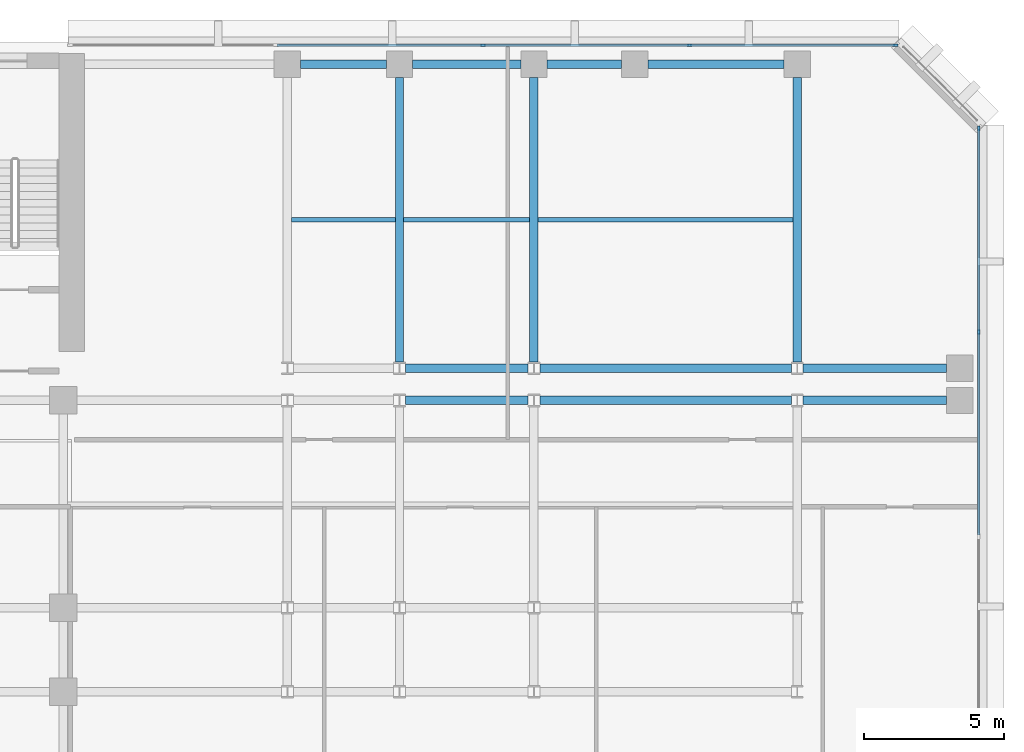
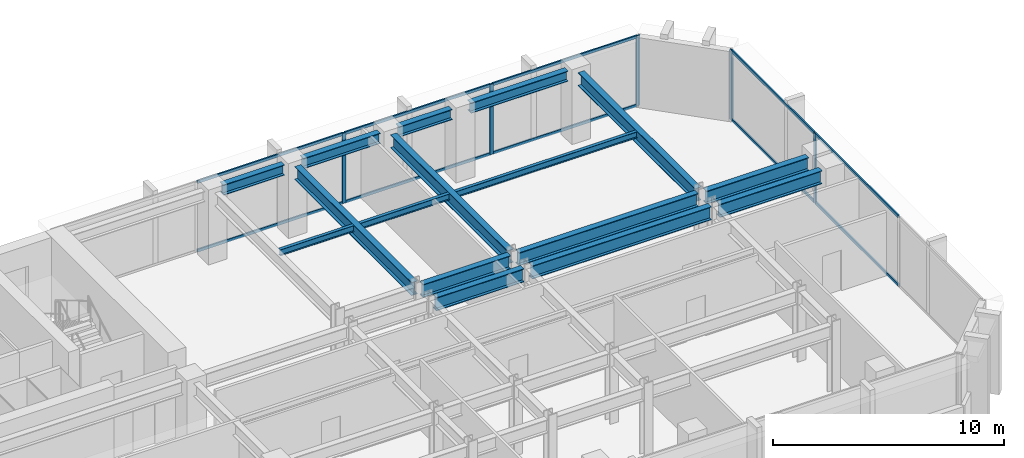
# One storey, part 5 of 13: 16 beams, 15 members, 2 elements without a shape of their own.
"""IFC4 building model written with IfcOpenShell, lengths in metres."""

import ifcopenshell
import ifcopenshell.guid

model = None  # the IFC model being written
_history = None  # IfcOwnerHistory: only IFC2X3 demands one
_inside = {}  # id of a spatial element -> (the spatial element, [elements in it])
_under = {}  # id of a project, library or spatial element -> (it, [spatial elements below it])
_declared = {}  # id of a project -> (the project, [libraries it declares])
_typed = {}  # id of a type object -> (the type object, [elements of that type])
_made_of = {}  # id of a material, layer set ... -> (it, [elements and type objects made of it])


def new_model(schema):
    """Start an empty IFC model of exactly this schema.

    Asked for "IFC4X3", IfcOpenShell would pick the latest addendum, in which some entities
    have other attributes; the version numbers below select the first issue.
    IFC2X3 requires an IfcOwnerHistory on every rooted entity: one is made here for all.
    """
    global model, _history
    if schema == "IFC4X3":
        model = ifcopenshell.file(schema_version=(4, 3, 0, 0))
    else:
        model = ifcopenshell.file(schema=schema)
    _inside.clear()
    _under.clear()
    _declared.clear()
    _typed.clear()
    _made_of.clear()
    _history = None
    if model.schema == "IFC2X3":
        org = make("IfcOrganization", Name="unknown")
        user = make(
            "IfcPersonAndOrganization",
            ThePerson=make("IfcPerson", FamilyName="unknown"),
            TheOrganization=org,
        )
        app = make(
            "IfcApplication",
            ApplicationDeveloper=org,
            Version="unknown",
            ApplicationFullName="unknown",
            ApplicationIdentifier="unknown",
        )
        _history = make(
            "IfcOwnerHistory",
            OwningUser=user,
            OwningApplication=app,
            ChangeAction="ADDED",
            CreationDate=0,
        )
    return model


def make(cls, **values):
    """One entity of the class cls with the attributes given. An attribute that is None is left unset."""
    return model.create_entity(
        cls, **{name: value for name, value in values.items() if value is not None}
    )


def rooted(cls, **values):
    """An entity with a GlobalId (a new one), such as an element, a storey or a relation."""
    return make(cls, GlobalId=ifcopenshell.guid.new(), OwnerHistory=_history, **values)


def si_unit(unit_type, name, prefix=None):
    """IfcSIUnit, for example si_unit("LENGTHUNIT", "METRE", prefix="MILLI")."""
    return make("IfcSIUnit", UnitType=unit_type, Prefix=prefix, Name=name)


def assignment(units):
    """IfcUnitAssignment: the units of a project."""
    return None if units is None else make("IfcUnitAssignment", Units=units)


def point(xyz):
    """IfcCartesianPoint."""
    return None if xyz is None else make("IfcCartesianPoint", Coordinates=xyz)


def direction(xyz):
    """IfcDirection."""
    return None if xyz is None else make("IfcDirection", DirectionRatios=xyz)


def frame(location, z_axis=None, x_axis=None):
    """IfcAxis2Placement3D, a coordinate frame: its origin and axes. An axis left out is left unset."""
    return make(
        "IfcAxis2Placement3D",
        Location=point(location),
        Axis=direction(z_axis),
        RefDirection=direction(x_axis),
    )


def frame_2d(location, x_axis=None):
    """IfcAxis2Placement2D, a coordinate frame in the plane: its origin and x axis."""
    return make(
        "IfcAxis2Placement2D", Location=point(location), RefDirection=direction(x_axis)
    )


def origin():
    """The frame at (0, 0, 0) with its axes left unset."""
    return frame((0.0, 0.0, 0.0))


def origin_2d():
    """The frame at (0, 0) in the plane with its x axis left unset."""
    return frame_2d((0.0, 0.0))


def place(relative_to, where):
    """IfcLocalPlacement: puts the frame where relative to a parent placement (None: the world)."""
    return make(
        "IfcLocalPlacement", PlacementRelTo=relative_to, RelativePlacement=where
    )


def context(
    kind, dimensions, precision=None, world=None, true_north=None, identifier=None
):
    """IfcGeometricRepresentationContext, for example the 3D "Model" context."""
    return make(
        "IfcGeometricRepresentationContext",
        ContextIdentifier=identifier,
        ContextType=kind,
        CoordinateSpaceDimension=dimensions,
        Precision=precision,
        WorldCoordinateSystem=world,
        TrueNorth=true_north,
    )


def subcontext(parent, identifier, kind, view, scale=None):
    """IfcGeometricRepresentationSubContext, for example "Body" below "Model"."""
    return make(
        "IfcGeometricRepresentationSubContext",
        ContextIdentifier=identifier,
        ContextType=kind,
        ParentContext=parent,
        TargetScale=scale,
        TargetView=view,
    )


def project(units=None, contexts=None):
    """IfcProject with its units and contexts."""
    return rooted(
        "IfcProject",
        Name="project",
        RepresentationContexts=contexts,
        UnitsInContext=assignment(units),
    )


def spatial(cls, under=None, at=None, **own):
    """A site, building, storey or space (cls), placed at a placement, below another one or the project."""
    s = rooted(cls, ObjectPlacement=at, **own)
    if under is not None:
        _under.setdefault(under.id(), (under, []))[1].append(s)
    return s


def profile(cls, at=None, kind="AREA", **sizes):
    """A parametric profile (cls). Its sizes go by their IFC names, for example OverallWidth=200.0."""
    return make(cls, ProfileType=kind, Position=at, **sizes)


def rectangle(**sizes):
    """IfcRectangleProfileDef."""
    return profile("IfcRectangleProfileDef", **sizes)


def i_section(**sizes):
    """IfcIShapeProfileDef."""
    return profile("IfcIShapeProfileDef", **sizes)


def extrude(swept, where, along, depth):
    """IfcExtrudedAreaSolid: the profile swept, set in the frame where, extruded along a direction by depth."""
    return make(
        "IfcExtrudedAreaSolid",
        SweptArea=swept,
        Position=where,
        ExtrudedDirection=direction(along),
        Depth=depth,
    )


def shape(context_of_items, identifier, shape_type, items):
    """IfcShapeRepresentation: the items that make up one representation, for example the "Body"."""
    return make(
        "IfcShapeRepresentation",
        ContextOfItems=context_of_items,
        RepresentationIdentifier=identifier,
        RepresentationType=shape_type,
        Items=items,
    )


def material(Name=None, Category=None):
    """IfcMaterial."""
    return make("IfcMaterial", Name=Name, Category=Category)


def layer(
    of_material, thickness, ventilated=None, Name=None, Category=None, Priority=None
):
    """IfcMaterialLayer: one layer of a wall or slab, of a material (None: an air gap)."""
    return make(
        "IfcMaterialLayer",
        Material=of_material,
        LayerThickness=thickness,
        IsVentilated=ventilated,
        Name=Name,
        Category=Category,
        Priority=Priority,
    )


def layer_set(layers, Name=None):
    """IfcMaterialLayerSet."""
    return make("IfcMaterialLayerSet", MaterialLayers=layers, LayerSetName=Name)


def material_profile(
    of_material, cross_section, Name=None, Category=None, Priority=None
):
    """IfcMaterialProfile: a cross section and its material."""
    return make(
        "IfcMaterialProfile",
        Name=Name,
        Material=of_material,
        Profile=cross_section,
        Priority=Priority,
        Category=Category,
    )


def profile_set(profiles, Name=None, composite=None):
    """IfcMaterialProfileSet."""
    return make(
        "IfcMaterialProfileSet",
        Name=Name,
        MaterialProfiles=profiles,
        CompositeProfile=composite,
    )


def made_of(thing, what):
    """Note that an element or type object is made of a material, layer set ...; save() writes the relation."""
    if what is not None:
        _made_of.setdefault(what.id(), (what, []))[1].append(thing)
    return thing


def type_object(cls, material=None, **own):
    """A type object (cls), such as IfcWallType, which elements share."""
    return made_of(rooted(cls, **own), material)


def element(
    cls,
    number,
    at=None,
    inside=None,
    cuts=None,
    type_object=None,
    material=None,
    context=None,
    identifier="Body",
    shape_type=None,
    held_by="IfcProductDefinitionShape",
    body=None,
    shapes=None,
    **own,
):
    """One element of the class cls, such as IfcWall. Its Tag is "e" and its number.

    at: its placement. inside: the storey or other place that contains it. cuts: it is an
    opening in that element (IfcRelVoidsElement). A single representation is given by context,
    identifier, shape_type and body (its items); several are given by shapes. held_by: the class
    of the entity that holds the representations. save() writes the other relations.
    """
    e = rooted(cls, Tag="e%d" % number, ObjectPlacement=at, **own)
    if body is not None:
        shapes = [shape(context, identifier, shape_type, body)]
    if shapes is not None:
        e.Representation = make(held_by, Representations=shapes)
    if inside is not None:
        _inside.setdefault(inside.id(), (inside, []))[1].append(e)
    if cuts is not None:
        rooted(
            "IfcRelVoidsElement", RelatingBuildingElement=cuts, RelatedOpeningElement=e
        )
    if type_object is not None:
        _typed.setdefault(type_object.id(), (type_object, []))[1].append(e)
    return made_of(e, material)


def aggregate(whole, parts):
    """IfcRelAggregates: a whole, such as a stair, and the parts it consists of."""
    return rooted("IfcRelAggregates", RelatingObject=whole, RelatedObjects=parts)


def save(model, path):
    """Write the relations noted so far, then the file.

    IfcRelAggregates (storeys below a building ...), IfcRelContainedInSpatialStructure (elements
    in a storey), IfcRelDefinesByType, IfcRelAssociatesMaterial and IfcRelDeclares: one each for
    every whole, place, type object, material and project.
    """
    for whole, parts in _under.values():
        aggregate(whole, parts)
    for where, things in _inside.values():
        rooted(
            "IfcRelContainedInSpatialStructure",
            RelatedElements=things,
            RelatingStructure=where,
        )
    for kind, things in _typed.values():
        rooted("IfcRelDefinesByType", RelatedObjects=things, RelatingType=kind)
    for what, things in _made_of.values():
        rooted("IfcRelAssociatesMaterial", RelatedObjects=things, RelatingMaterial=what)
    for by, libraries in _declared.values():
        rooted("IfcRelDeclares", RelatingContext=by, RelatedDefinitions=libraries)
    model.write(path)


model = new_model("IFC4")

# Units and contexts
model_context = context("Model", 3, precision=1e-05, world=origin(), true_north=direction((0.0, 1.0)))
body_context = subcontext(model_context, "Body", "Model", "MODEL_VIEW")
ifc_project = project(units=[si_unit("LENGTHUNIT", "METRE"), si_unit("AREAUNIT", "SQUARE_METRE"), si_unit("VOLUMEUNIT", "CUBIC_METRE"), si_unit("PLANEANGLEUNIT", "RADIAN"), si_unit("MASSUNIT", "GRAM", prefix="KILO")], contexts=[model_context])

# Site, building, storey
site_placement = place(None, origin())
site = spatial("IfcSite", under=ifc_project, at=site_placement, CompositionType="ELEMENT")
building_placement = place(site_placement, origin())
building = spatial("IfcBuilding", under=site, at=building_placement, Name="Kefirva Bronze Tower", CompositionType="ELEMENT")
storey_placement = place(building_placement, frame((0.0, 0.0, 106.590087890625)))
storey = spatial("IfcBuildingStorey", under=building, at=storey_placement, Name="L25", CompositionType="ELEMENT", Elevation=106.590087890625)

# Curtain wall, members
ifc_material_1 = material(Name="Bronze anodised aluminium", Category="aluminium")
ifc_layer = layer(ifc_material_1, 0.199951171875, Name="Bronze anodised aluminium")
ifc_layer_set = layer_set([ifc_layer], Name="Bronze anodised aluminium")
curtain_wall_type = type_object("IfcCurtainWallType", Name="Unitised Bronze Ribbon Curtain Wall Zone 1", PredefinedType="USERDEFINED", material=ifc_layer_set)
curtain_wall_1_placement = place(storey_placement, origin())
curtain_wall_1 = element("IfcCurtainWall", 1, at=curtain_wall_1_placement, inside=storey, type_object=curtain_wall_type, Name="L25 Curtain Wall 3", ObjectType="UNITISED CURTAIN WALL", PredefinedType="USERDEFINED")
ifc_material_profile_1 = material_profile(ifc_material_1, rectangle(XDim=0.074951171875, YDim=0.179931640625, at=origin_2d()), Name="ALU 75x180")
ifc_profile_set_1 = profile_set([ifc_material_profile_1], Name="Bronze anodised aluminium")
member_type_1 = type_object("IfcMemberType", Name="Bronze Mullion 75x180", PredefinedType="MULLION", material=ifc_profile_set_1)
member_1_placement = place(storey_placement, frame((55.8798828125, 35.6484375, 0.0), z_axis=(0.0, 0.0, 1.0), x_axis=(-1.0, 0.0, 0.0)))
member_1 = element("IfcMember", 2, at=member_1_placement, type_object=member_type_1, Name="CW-01 mullion 3", PredefinedType="MULLION", context=body_context, shape_type="SweptSolid", body=[
    extrude(rectangle(XDim=0.074951171875, YDim=0.179931640625, at=origin_2d()), origin(), (0.0, 0.0, 1.0), 3.7099609375),
])
member_2_placement = place(storey_placement, frame((55.8798828125, 42.907470703125, 0.0), z_axis=(0.0, 0.0, 1.0), x_axis=(-1.0, 0.0, 0.0)))
member_2 = element("IfcMember", 3, at=member_2_placement, type_object=member_type_1, Name="CW-01 mullion 4", PredefinedType="MULLION", context=body_context, shape_type="SweptSolid", body=[
    extrude(rectangle(XDim=0.074951171875, YDim=0.179931640625, at=origin_2d()), origin(), (0.0, 0.0, 1.0), 3.7099609375),
])

curtain_wall_2_placement = place(storey_placement, origin())
curtain_wall_2 = element("IfcCurtainWall", 4, at=curtain_wall_2_placement, inside=storey, type_object=curtain_wall_type, Name="L25 Curtain Wall 4", ObjectType="UNITISED CURTAIN WALL", PredefinedType="USERDEFINED")
member_3_placement = place(storey_placement, frame((52.907470703125, 45.8798828125, 0.0), z_axis=(0.0, 0.0, 1.0), x_axis=(0.0, -1.0, 0.0)))
member_3 = element("IfcMember", 5, at=member_3_placement, type_object=member_type_1, Name="CW-01 mullion 1", PredefinedType="MULLION", context=body_context, shape_type="SweptSolid", body=[
    extrude(rectangle(XDim=0.074951171875, YDim=0.179931640625, at=origin_2d()), origin(), (0.0, 0.0, 1.0), 3.7099609375),
])
member_4_placement = place(storey_placement, frame((45.56005859375, 45.8798828125, 0.0), z_axis=(0.0, 0.0, 1.0), x_axis=(0.0, -1.0, 0.0)))
member_4 = element("IfcMember", 6, at=member_4_placement, type_object=member_type_1, Name="CW-01 mullion 2", PredefinedType="MULLION", context=body_context, shape_type="SweptSolid", body=[
    extrude(rectangle(XDim=0.074951171875, YDim=0.179931640625, at=origin_2d()), origin(), (0.0, 0.0, 1.0), 3.7099609375),
])
member_5_placement = place(storey_placement, frame((38.175048828125, 45.8798828125, 0.0), z_axis=(0.0, 0.0, 1.0), x_axis=(0.0, -1.0, 0.0)))
member_5 = element("IfcMember", 7, at=member_5_placement, type_object=member_type_1, Name="CW-01 mullion 3", PredefinedType="MULLION", context=body_context, shape_type="SweptSolid", body=[
    extrude(rectangle(XDim=0.074951171875, YDim=0.179931640625, at=origin_2d()), origin(), (0.0, 0.0, 1.0), 3.7099609375),
])

# Member
ifc_material_profile_2 = material_profile(ifc_material_1, rectangle(XDim=0.074951171875, YDim=0.14990234375, at=origin_2d()), Name="ALU 75x150")
ifc_profile_set_2 = profile_set([ifc_material_profile_2], Name="Bronze anodised aluminium")
member_type_2 = type_object("IfcMemberType", Name="Bronze Transom 75x150", PredefinedType="USERDEFINED", material=ifc_profile_set_2)
member_6_placement = place(storey_placement, frame((55.8798828125, 28.38916015625, 0.037353515625), z_axis=(0.0, 1.0, 0.0), x_axis=(-1.0, 0.0, 0.0)))
member_6 = element("IfcMember", 8, at=member_6_placement, type_object=member_type_2, Name="CW-01 transom 2.1", ObjectType="TRANSOM", PredefinedType="USERDEFINED", context=body_context, shape_type="SweptSolid", body=[
    extrude(rectangle(XDim=0.074951171875, YDim=0.14990234375, at=origin_2d()), origin(), (0.0, 0.0, 1.0), 7.2216796875),
])

member_7_placement = place(storey_placement, frame((55.8798828125, 28.38916015625, 3.67236328125), z_axis=(0.0, 1.0, 0.0), x_axis=(-1.0, 0.0, 0.0)))
member_7 = element("IfcMember", 9, at=member_7_placement, type_object=member_type_2, Name="CW-01 transom 2.2", ObjectType="TRANSOM", PredefinedType="USERDEFINED", context=body_context, shape_type="SweptSolid", body=[
    extrude(rectangle(XDim=0.074951171875, YDim=0.14990234375, at=origin_2d()), origin(), (0.0, 0.0, 1.0), 7.2216796875),
])

member_8_placement = place(storey_placement, frame((55.8798828125, 35.685791015625, 0.037353515625), z_axis=(0.0, 1.0, 0.0), x_axis=(-1.0, 0.0, 0.0)))
member_8 = element("IfcMember", 10, at=member_8_placement, type_object=member_type_2, Name="CW-01 transom 3.1", ObjectType="TRANSOM", PredefinedType="USERDEFINED", context=body_context, shape_type="SweptSolid", body=[
    extrude(rectangle(XDim=0.074951171875, YDim=0.14990234375, at=origin_2d()), origin(), (0.0, 0.0, 1.0), 7.184326171875),
])

member_9_placement = place(storey_placement, frame((55.8798828125, 35.685791015625, 3.67236328125), z_axis=(0.0, 1.0, 0.0), x_axis=(-1.0, 0.0, 0.0)))
member_9 = element("IfcMember", 11, at=member_9_placement, type_object=member_type_2, Name="CW-01 transom 3.2", ObjectType="TRANSOM", PredefinedType="USERDEFINED", context=body_context, shape_type="SweptSolid", body=[
    extrude(rectangle(XDim=0.074951171875, YDim=0.14990234375, at=origin_2d()), origin(), (0.0, 0.0, 1.0), 7.184326171875),
])

aggregate(curtain_wall_1, [member_1, member_2, member_6, member_7, member_8, member_9])

member_10_placement = place(storey_placement, frame((52.8701171875, 45.8798828125, 0.037353515625), z_axis=(-1.0, 0.0, 0.0), x_axis=(0.0, -1.0, 0.0)))
member_10 = element("IfcMember", 12, at=member_10_placement, type_object=member_type_2, Name="CW-01 transom 1.1", ObjectType="TRANSOM", PredefinedType="USERDEFINED", context=body_context, shape_type="SweptSolid", body=[
    extrude(rectangle(XDim=0.074951171875, YDim=0.14990234375, at=origin_2d()), origin(), (0.0, 0.0, 1.0), 7.272705078125),
])

member_11_placement = place(storey_placement, frame((52.8701171875, 45.8798828125, 3.67236328125), z_axis=(-1.0, 0.0, 0.0), x_axis=(0.0, -1.0, 0.0)))
member_11 = element("IfcMember", 13, at=member_11_placement, type_object=member_type_2, Name="CW-01 transom 1.2", ObjectType="TRANSOM", PredefinedType="USERDEFINED", context=body_context, shape_type="SweptSolid", body=[
    extrude(rectangle(XDim=0.074951171875, YDim=0.14990234375, at=origin_2d()), origin(), (0.0, 0.0, 1.0), 7.272705078125),
])

member_12_placement = place(storey_placement, frame((45.5224609375, 45.8798828125, 0.037353515625), z_axis=(-1.0, 0.0, 0.0), x_axis=(0.0, -1.0, 0.0)))
member_12 = element("IfcMember", 14, at=member_12_placement, type_object=member_type_2, Name="CW-01 transom 2.1", ObjectType="TRANSOM", PredefinedType="USERDEFINED", context=body_context, shape_type="SweptSolid", body=[
    extrude(rectangle(XDim=0.074951171875, YDim=0.14990234375, at=origin_2d()), origin(), (0.0, 0.0, 1.0), 7.31005859375),
])

member_13_placement = place(storey_placement, frame((45.5224609375, 45.8798828125, 3.67236328125), z_axis=(-1.0, 0.0, 0.0), x_axis=(0.0, -1.0, 0.0)))
member_13 = element("IfcMember", 15, at=member_13_placement, type_object=member_type_2, Name="CW-01 transom 2.2", ObjectType="TRANSOM", PredefinedType="USERDEFINED", context=body_context, shape_type="SweptSolid", body=[
    extrude(rectangle(XDim=0.074951171875, YDim=0.14990234375, at=origin_2d()), origin(), (0.0, 0.0, 1.0), 7.31005859375),
])

member_14_placement = place(storey_placement, frame((38.137451171875, 45.8798828125, 0.037353515625), z_axis=(-1.0, 0.0, 0.0), x_axis=(0.0, -1.0, 0.0)))
member_14 = element("IfcMember", 16, at=member_14_placement, type_object=member_type_2, Name="CW-01 transom 3.1", ObjectType="TRANSOM", PredefinedType="USERDEFINED", context=body_context, shape_type="SweptSolid", body=[
    extrude(rectangle(XDim=0.074951171875, YDim=0.14990234375, at=origin_2d()), origin(), (0.0, 0.0, 1.0), 7.31005859375),
])

member_15_placement = place(storey_placement, frame((38.137451171875, 45.8798828125, 3.67236328125), z_axis=(-1.0, 0.0, 0.0), x_axis=(0.0, -1.0, 0.0)))
member_15 = element("IfcMember", 17, at=member_15_placement, type_object=member_type_2, Name="CW-01 transom 3.2", ObjectType="TRANSOM", PredefinedType="USERDEFINED", context=body_context, shape_type="SweptSolid", body=[
    extrude(rectangle(XDim=0.074951171875, YDim=0.14990234375, at=origin_2d()), origin(), (0.0, 0.0, 1.0), 7.31005859375),
])

aggregate(curtain_wall_2, [member_3, member_4, member_5, member_10, member_11, member_12, member_13, member_14, member_15])

# Beams
ifc_material_2 = material(Name="Steel S355", Category="steel")
ifc_material_profile_3 = material_profile(ifc_material_2, i_section(OverallWidth=0.159912109375, OverallDepth=0.330078125, WebThickness=0.007568359375, FlangeThickness=0.011474609375, at=origin_2d()), Name="IPE 330")
ifc_profile_set_3 = profile_set([ifc_material_profile_3], Name="Steel S355")
beam_type_1 = type_object("IfcBeamType", Name="Steel Floor Joist IPE 330", PredefinedType="JOIST", material=ifc_profile_set_3)
beam_1_placement = place(storey_placement, frame((31.35009765625, 39.65380859375, 3.544921875), z_axis=(1.0, 0.0, 0.0), x_axis=(0.0, 1.0, 0.0)))
element("IfcBeam", 18, at=beam_1_placement, inside=storey, type_object=beam_type_1, Name="L25 JST-L25-31-396", PredefinedType="JOIST", context=body_context, shape_type="SweptSolid", body=[
    extrude(i_section(OverallWidth=0.159912109375, OverallDepth=0.330078125, WebThickness=0.007568359375, FlangeThickness=0.011474609375, at=origin_2d()), origin(), (0.0, 0.0, 1.0), 3.699951171875),
])
beam_2_placement = place(storey_placement, frame((35.35009765625, 39.65380859375, 3.544921875), z_axis=(1.0, 0.0, 0.0), x_axis=(0.0, 1.0, 0.0)))
element("IfcBeam", 19, at=beam_2_placement, inside=storey, type_object=beam_type_1, Name="L25 JST-L25-35-396", PredefinedType="JOIST", context=body_context, shape_type="SweptSolid", body=[
    extrude(i_section(OverallWidth=0.159912109375, OverallDepth=0.330078125, WebThickness=0.007568359375, FlangeThickness=0.011474609375, at=origin_2d()), origin(), (0.0, 0.0, 1.0), 4.5),
])
beam_3_placement = place(storey_placement, frame((40.14990234375, 39.65380859375, 3.544921875), z_axis=(1.0, 0.0, 0.0), x_axis=(0.0, 1.0, 0.0)))
element("IfcBeam", 20, at=beam_3_placement, inside=storey, type_object=beam_type_1, Name="L25 JST-L25-40-396", PredefinedType="JOIST", context=body_context, shape_type="SweptSolid", body=[
    extrude(i_section(OverallWidth=0.159912109375, OverallDepth=0.330078125, WebThickness=0.007568359375, FlangeThickness=0.011474609375, at=origin_2d()), origin(), (0.0, 0.0, 1.0), 9.10009765625),
])
ifc_material_profile_4 = material_profile(ifc_material_2, i_section(OverallWidth=0.300048828125, OverallDepth=0.699951171875, WebThickness=0.01708984375, FlangeThickness=0.031982421875, at=origin_2d()), Name="HEB 700")
ifc_profile_set_4 = profile_set([ifc_material_profile_4], Name="Steel S355")
beam_type_2 = type_object("IfcBeamType", Name="Steel Girder HEB 700", PredefinedType="USERDEFINED", material=ifc_profile_set_4)
beam_4_placement = place(storey_placement, frame((35.408935546875, 33.199951171875, 3.35986328125), z_axis=(1.0, 0.0, 0.0), x_axis=(0.0, 1.0, 0.0)))
element("IfcBeam", 21, at=beam_4_placement, inside=storey, type_object=beam_type_2, Name="L25 BM-L25-EW-35-332", ObjectType="GIRDER", PredefinedType="USERDEFINED", context=body_context, shape_type="SweptSolid", body=[
    extrude(i_section(OverallWidth=0.300048828125, OverallDepth=0.699951171875, WebThickness=0.01708984375, FlangeThickness=0.031982421875, at=origin_2d()), origin(), (0.0, 0.0, 1.0), 4.382080078125),
])
beam_5_placement = place(storey_placement, frame((40.208984375, 33.199951171875, 3.35986328125), z_axis=(1.0, 0.0, 0.0), x_axis=(0.0, 1.0, 0.0)))
element("IfcBeam", 22, at=beam_5_placement, inside=storey, type_object=beam_type_2, Name="L25 BM-L25-EW-40-332", ObjectType="GIRDER", PredefinedType="USERDEFINED", context=body_context, shape_type="SweptSolid", body=[
    extrude(i_section(OverallWidth=0.300048828125, OverallDepth=0.699951171875, WebThickness=0.01708984375, FlangeThickness=0.031982421875, at=origin_2d()), origin(), (0.0, 0.0, 1.0), 8.98193359375),
])
beam_6_placement = place(storey_placement, frame((49.60888671875, 33.199951171875, 3.329833984375), z_axis=(1.0, 0.0, 0.0), x_axis=(0.0, 1.0, 0.0)))
element("IfcBeam", 23, at=beam_6_placement, inside=storey, type_object=beam_type_2, Name="L25 BM-L25-EW-49-332", ObjectType="GIRDER", PredefinedType="USERDEFINED", context=body_context, shape_type="SweptSolid", body=[
    extrude(i_section(OverallWidth=0.300048828125, OverallDepth=0.699951171875, WebThickness=0.01708984375, FlangeThickness=0.031982421875, at=origin_2d()), origin(), (0.0, 0.0, 1.0), 5.12109375),
])
beam_7_placement = place(storey_placement, frame((35.408935546875, 34.35009765625, 3.35986328125), z_axis=(1.0, 0.0, 0.0), x_axis=(0.0, 1.0, 0.0)))
element("IfcBeam", 24, at=beam_7_placement, inside=storey, type_object=beam_type_2, Name="L25 BM-L25-EW-35-344", ObjectType="GIRDER", PredefinedType="USERDEFINED", context=body_context, shape_type="SweptSolid", body=[
    extrude(i_section(OverallWidth=0.300048828125, OverallDepth=0.699951171875, WebThickness=0.01708984375, FlangeThickness=0.031982421875, at=origin_2d()), origin(), (0.0, 0.0, 1.0), 4.382080078125),
])
beam_8_placement = place(storey_placement, frame((40.208984375, 34.35009765625, 3.35986328125), z_axis=(1.0, 0.0, 0.0), x_axis=(0.0, 1.0, 0.0)))
element("IfcBeam", 25, at=beam_8_placement, inside=storey, type_object=beam_type_2, Name="L25 BM-L25-EW-40-344", ObjectType="GIRDER", PredefinedType="USERDEFINED", context=body_context, shape_type="SweptSolid", body=[
    extrude(i_section(OverallWidth=0.300048828125, OverallDepth=0.699951171875, WebThickness=0.01708984375, FlangeThickness=0.031982421875, at=origin_2d()), origin(), (0.0, 0.0, 1.0), 8.98193359375),
])
beam_9_placement = place(storey_placement, frame((49.60888671875, 34.35009765625, 3.329833984375), z_axis=(1.0, 0.0, 0.0), x_axis=(0.0, 1.0, 0.0)))
element("IfcBeam", 26, at=beam_9_placement, inside=storey, type_object=beam_type_2, Name="L25 BM-L25-EW-49-344", ObjectType="GIRDER", PredefinedType="USERDEFINED", context=body_context, shape_type="SweptSolid", body=[
    extrude(i_section(OverallWidth=0.300048828125, OverallDepth=0.699951171875, WebThickness=0.01708984375, FlangeThickness=0.031982421875, at=origin_2d()), origin(), (0.0, 0.0, 1.0), 5.12109375),
])
for number, where, z_axis, x_axis, name in (
    (27, (35.199951171875, 34.577392578125, 3.35986328125), (0.0, 1.0, 0.0), (-1.0, 0.0, 0.0), "L25 BM-L25-NS-352-34"),
    (28, (40.0, 34.577392578125, 3.35986328125), (0.0, 1.0, 0.0), (-1.0, 0.0, 0.0), "L25 BM-L25-NS-400-34"),
    (29, (49.39990234375, 34.577392578125, 3.35986328125), (0.0, 1.0, 0.0), (-1.0, 0.0, 0.0), "L25 BM-L25-NS-494-34"),
):
    element("IfcBeam", number, at=place(storey_placement, frame(where, z_axis=z_axis, x_axis=x_axis)), inside=storey, type_object=beam_type_2, Name=name, ObjectType="GIRDER", PredefinedType="USERDEFINED", context=body_context, shape_type="SweptSolid", body=[
        extrude(i_section(OverallWidth=0.300048828125, OverallDepth=0.699951171875, WebThickness=0.01708984375, FlangeThickness=0.031982421875, at=origin_2d()), origin(), (0.0, 0.0, 1.0), 10.152587890625),
    ])
ifc_material_profile_5 = material_profile(ifc_material_2, i_section(OverallWidth=0.300048828125, OverallDepth=0.550048828125, WebThickness=0.014892578125, FlangeThickness=0.029052734375, at=origin_2d()), Name="HEB 550")
ifc_profile_set_5 = profile_set([ifc_material_profile_5], Name="Steel S355")
beam_type_3 = type_object("IfcBeamType", Name="Steel Spandrel HEB 550 Ext", PredefinedType="SPANDREL", material=ifc_profile_set_5)
beam_10_placement = place(storey_placement, frame((31.669921875, 45.199951171875, 3.434814453125), z_axis=(1.0, 0.0, 0.0), x_axis=(0.0, 1.0, 0.0)))
element("IfcBeam", 30, at=beam_10_placement, inside=storey, type_object=beam_type_3, Name="L25 BM-L25-EW-31-452", PredefinedType="SPANDREL", context=body_context, shape_type="SweptSolid", body=[
    extrude(i_section(OverallWidth=0.300048828125, OverallDepth=0.550048828125, WebThickness=0.014892578125, FlangeThickness=0.029052734375, at=origin_2d()), origin(), (0.0, 0.0, 1.0), 3.06005859375),
])
beam_11_placement = place(storey_placement, frame((35.669921875, 45.199951171875, 3.434814453125), z_axis=(1.0, 0.0, 0.0), x_axis=(0.0, 1.0, 0.0)))
element("IfcBeam", 31, at=beam_11_placement, inside=storey, type_object=beam_type_3, Name="L25 BM-L25-EW-35-452", PredefinedType="SPANDREL", context=body_context, shape_type="SweptSolid", body=[
    extrude(i_section(OverallWidth=0.300048828125, OverallDepth=0.550048828125, WebThickness=0.014892578125, FlangeThickness=0.029052734375, at=origin_2d()), origin(), (0.0, 0.0, 1.0), 3.860107421875),
])
beam_12_placement = place(storey_placement, frame((40.469970703125, 45.199951171875, 3.434814453125), z_axis=(1.0, 0.0, 0.0), x_axis=(0.0, 1.0, 0.0)))
element("IfcBeam", 32, at=beam_12_placement, inside=storey, type_object=beam_type_3, Name="L25 BM-L25-EW-40-452", PredefinedType="SPANDREL", context=body_context, shape_type="SweptSolid", body=[
    extrude(i_section(OverallWidth=0.300048828125, OverallDepth=0.550048828125, WebThickness=0.014892578125, FlangeThickness=0.029052734375, at=origin_2d()), origin(), (0.0, 0.0, 1.0), 2.659912109375),
])
beam_13_placement = place(storey_placement, frame((44.070068359375, 45.199951171875, 3.434814453125), z_axis=(1.0, 0.0, 0.0), x_axis=(0.0, 1.0, 0.0)))
element("IfcBeam", 33, at=beam_13_placement, inside=storey, type_object=beam_type_3, Name="L25 BM-L25-EW-43-452", PredefinedType="SPANDREL", context=body_context, shape_type="SweptSolid", body=[
    extrude(i_section(OverallWidth=0.300048828125, OverallDepth=0.550048828125, WebThickness=0.014892578125, FlangeThickness=0.029052734375, at=origin_2d()), origin(), (0.0, 0.0, 1.0), 4.85986328125),
])

save(model, "model.ifc")
